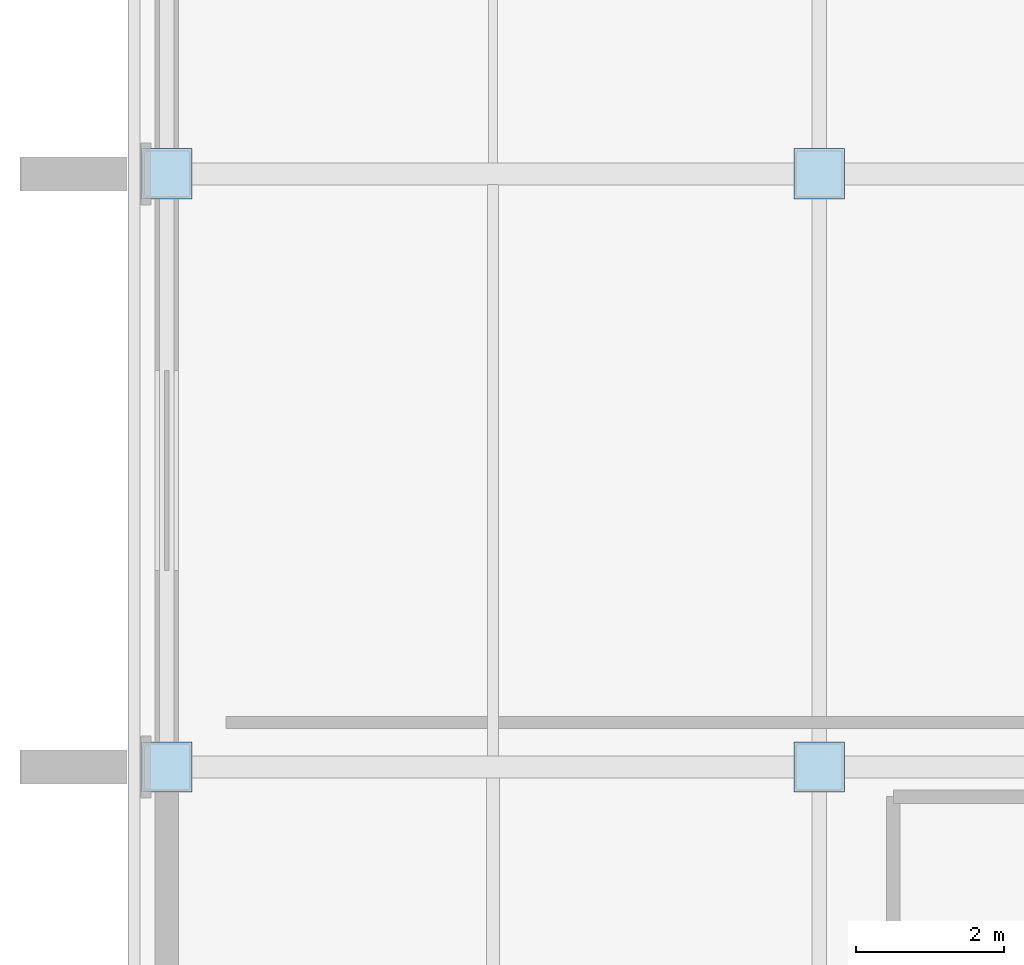
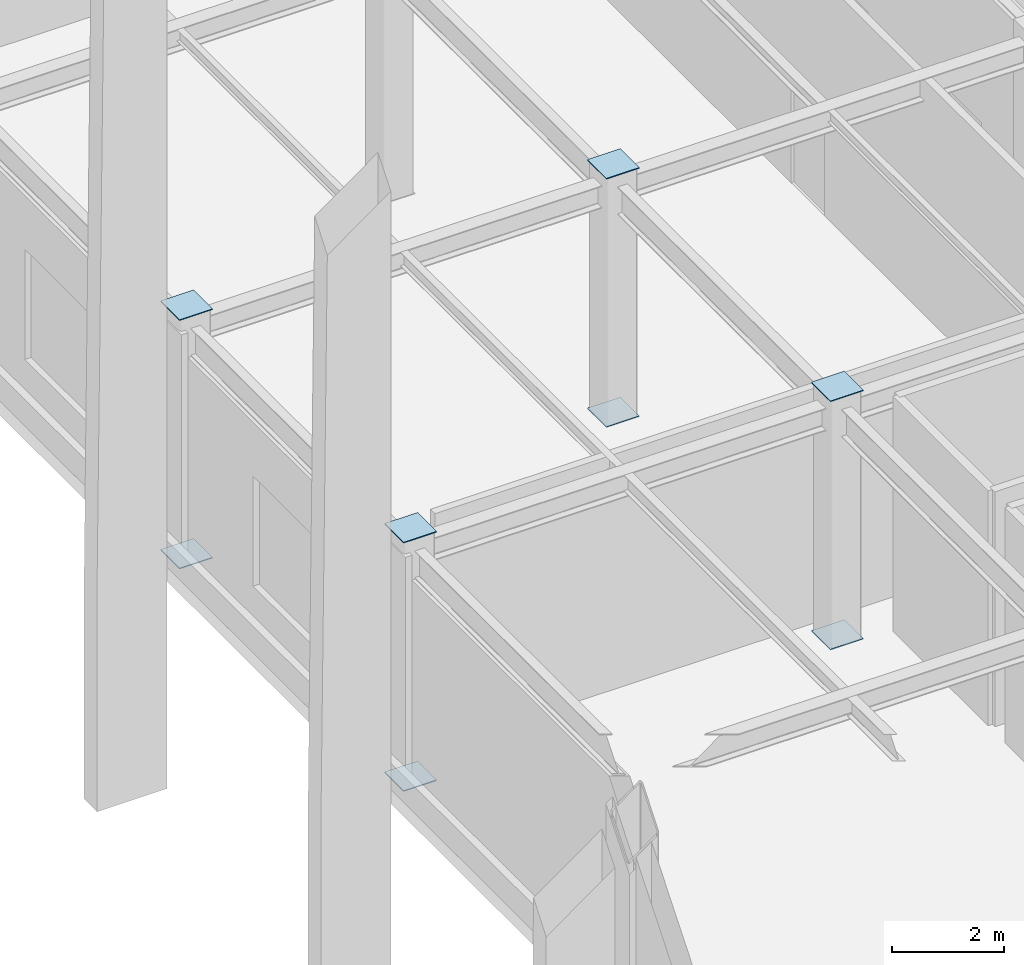
# One storey, part 72 of 119: 8 plates.
"""IFC4 building model written with IfcOpenShell, lengths in metres."""

import ifcopenshell
import ifcopenshell.guid

model = None  # the IFC model being written
_history = None  # IfcOwnerHistory: only IFC2X3 demands one
_inside = {}  # id of a spatial element -> (the spatial element, [elements in it])
_under = {}  # id of a project, library or spatial element -> (it, [spatial elements below it])
_declared = {}  # id of a project -> (the project, [libraries it declares])
_typed = {}  # id of a type object -> (the type object, [elements of that type])
_made_of = {}  # id of a material, layer set ... -> (it, [elements and type objects made of it])


def new_model(schema):
    """Start an empty IFC model of exactly this schema.

    Asked for "IFC4X3", IfcOpenShell would pick the latest addendum, in which some entities
    have other attributes; the version numbers below select the first issue.
    IFC2X3 requires an IfcOwnerHistory on every rooted entity: one is made here for all.
    """
    global model, _history
    if schema == "IFC4X3":
        model = ifcopenshell.file(schema_version=(4, 3, 0, 0))
    else:
        model = ifcopenshell.file(schema=schema)
    _inside.clear()
    _under.clear()
    _declared.clear()
    _typed.clear()
    _made_of.clear()
    _history = None
    if model.schema == "IFC2X3":
        org = make("IfcOrganization", Name="unknown")
        user = make(
            "IfcPersonAndOrganization",
            ThePerson=make("IfcPerson", FamilyName="unknown"),
            TheOrganization=org,
        )
        app = make(
            "IfcApplication",
            ApplicationDeveloper=org,
            Version="unknown",
            ApplicationFullName="unknown",
            ApplicationIdentifier="unknown",
        )
        _history = make(
            "IfcOwnerHistory",
            OwningUser=user,
            OwningApplication=app,
            ChangeAction="ADDED",
            CreationDate=0,
        )
    return model


def make(cls, **values):
    """One entity of the class cls with the attributes given. An attribute that is None is left unset."""
    return model.create_entity(
        cls, **{name: value for name, value in values.items() if value is not None}
    )


def rooted(cls, **values):
    """An entity with a GlobalId (a new one), such as an element, a storey or a relation."""
    return make(cls, GlobalId=ifcopenshell.guid.new(), OwnerHistory=_history, **values)


def si_unit(unit_type, name, prefix=None):
    """IfcSIUnit, for example si_unit("LENGTHUNIT", "METRE", prefix="MILLI")."""
    return make("IfcSIUnit", UnitType=unit_type, Prefix=prefix, Name=name)


def assignment(units):
    """IfcUnitAssignment: the units of a project."""
    return None if units is None else make("IfcUnitAssignment", Units=units)


def point(xyz):
    """IfcCartesianPoint."""
    return None if xyz is None else make("IfcCartesianPoint", Coordinates=xyz)


def direction(xyz):
    """IfcDirection."""
    return None if xyz is None else make("IfcDirection", DirectionRatios=xyz)


def frame(location, z_axis=None, x_axis=None):
    """IfcAxis2Placement3D, a coordinate frame: its origin and axes. An axis left out is left unset."""
    return make(
        "IfcAxis2Placement3D",
        Location=point(location),
        Axis=direction(z_axis),
        RefDirection=direction(x_axis),
    )


def frame_2d(location, x_axis=None):
    """IfcAxis2Placement2D, a coordinate frame in the plane: its origin and x axis."""
    return make(
        "IfcAxis2Placement2D", Location=point(location), RefDirection=direction(x_axis)
    )


def origin():
    """The frame at (0, 0, 0) with its axes left unset."""
    return frame((0.0, 0.0, 0.0))


def origin_2d():
    """The frame at (0, 0) in the plane with its x axis left unset."""
    return frame_2d((0.0, 0.0))


def place(relative_to, where):
    """IfcLocalPlacement: puts the frame where relative to a parent placement (None: the world)."""
    return make(
        "IfcLocalPlacement", PlacementRelTo=relative_to, RelativePlacement=where
    )


def context(
    kind, dimensions, precision=None, world=None, true_north=None, identifier=None
):
    """IfcGeometricRepresentationContext, for example the 3D "Model" context."""
    return make(
        "IfcGeometricRepresentationContext",
        ContextIdentifier=identifier,
        ContextType=kind,
        CoordinateSpaceDimension=dimensions,
        Precision=precision,
        WorldCoordinateSystem=world,
        TrueNorth=true_north,
    )


def subcontext(parent, identifier, kind, view, scale=None):
    """IfcGeometricRepresentationSubContext, for example "Body" below "Model"."""
    return make(
        "IfcGeometricRepresentationSubContext",
        ContextIdentifier=identifier,
        ContextType=kind,
        ParentContext=parent,
        TargetScale=scale,
        TargetView=view,
    )


def project(units=None, contexts=None):
    """IfcProject with its units and contexts."""
    return rooted(
        "IfcProject",
        Name="project",
        RepresentationContexts=contexts,
        UnitsInContext=assignment(units),
    )


def spatial(cls, under=None, at=None, **own):
    """A site, building, storey or space (cls), placed at a placement, below another one or the project."""
    s = rooted(cls, ObjectPlacement=at, **own)
    if under is not None:
        _under.setdefault(under.id(), (under, []))[1].append(s)
    return s


def profile(cls, at=None, kind="AREA", **sizes):
    """A parametric profile (cls). Its sizes go by their IFC names, for example OverallWidth=200.0."""
    return make(cls, ProfileType=kind, Position=at, **sizes)


def rectangle(**sizes):
    """IfcRectangleProfileDef."""
    return profile("IfcRectangleProfileDef", **sizes)


def extrude(swept, where, along, depth):
    """IfcExtrudedAreaSolid: the profile swept, set in the frame where, extruded along a direction by depth."""
    return make(
        "IfcExtrudedAreaSolid",
        SweptArea=swept,
        Position=where,
        ExtrudedDirection=direction(along),
        Depth=depth,
    )


def shape(context_of_items, identifier, shape_type, items):
    """IfcShapeRepresentation: the items that make up one representation, for example the "Body"."""
    return make(
        "IfcShapeRepresentation",
        ContextOfItems=context_of_items,
        RepresentationIdentifier=identifier,
        RepresentationType=shape_type,
        Items=items,
    )


def material(Name=None, Category=None):
    """IfcMaterial."""
    return make("IfcMaterial", Name=Name, Category=Category)


def layer(
    of_material, thickness, ventilated=None, Name=None, Category=None, Priority=None
):
    """IfcMaterialLayer: one layer of a wall or slab, of a material (None: an air gap)."""
    return make(
        "IfcMaterialLayer",
        Material=of_material,
        LayerThickness=thickness,
        IsVentilated=ventilated,
        Name=Name,
        Category=Category,
        Priority=Priority,
    )


def layer_set(layers, Name=None):
    """IfcMaterialLayerSet."""
    return make("IfcMaterialLayerSet", MaterialLayers=layers, LayerSetName=Name)


def made_of(thing, what):
    """Note that an element or type object is made of a material, layer set ...; save() writes the relation."""
    if what is not None:
        _made_of.setdefault(what.id(), (what, []))[1].append(thing)
    return thing


def type_object(cls, material=None, **own):
    """A type object (cls), such as IfcWallType, which elements share."""
    return made_of(rooted(cls, **own), material)


def element(
    cls,
    number,
    at=None,
    inside=None,
    cuts=None,
    type_object=None,
    material=None,
    context=None,
    identifier="Body",
    shape_type=None,
    held_by="IfcProductDefinitionShape",
    body=None,
    shapes=None,
    **own,
):
    """One element of the class cls, such as IfcWall. Its Tag is "e" and its number.

    at: its placement. inside: the storey or other place that contains it. cuts: it is an
    opening in that element (IfcRelVoidsElement). A single representation is given by context,
    identifier, shape_type and body (its items); several are given by shapes. held_by: the class
    of the entity that holds the representations. save() writes the other relations.
    """
    e = rooted(cls, Tag="e%d" % number, ObjectPlacement=at, **own)
    if body is not None:
        shapes = [shape(context, identifier, shape_type, body)]
    if shapes is not None:
        e.Representation = make(held_by, Representations=shapes)
    if inside is not None:
        _inside.setdefault(inside.id(), (inside, []))[1].append(e)
    if cuts is not None:
        rooted(
            "IfcRelVoidsElement", RelatingBuildingElement=cuts, RelatedOpeningElement=e
        )
    if type_object is not None:
        _typed.setdefault(type_object.id(), (type_object, []))[1].append(e)
    return made_of(e, material)


def aggregate(whole, parts):
    """IfcRelAggregates: a whole, such as a stair, and the parts it consists of."""
    return rooted("IfcRelAggregates", RelatingObject=whole, RelatedObjects=parts)


def save(model, path):
    """Write the relations noted so far, then the file.

    IfcRelAggregates (storeys below a building ...), IfcRelContainedInSpatialStructure (elements
    in a storey), IfcRelDefinesByType, IfcRelAssociatesMaterial and IfcRelDeclares: one each for
    every whole, place, type object, material and project.
    """
    for whole, parts in _under.values():
        aggregate(whole, parts)
    for where, things in _inside.values():
        rooted(
            "IfcRelContainedInSpatialStructure",
            RelatedElements=things,
            RelatingStructure=where,
        )
    for kind, things in _typed.values():
        rooted("IfcRelDefinesByType", RelatedObjects=things, RelatingType=kind)
    for what, things in _made_of.values():
        rooted("IfcRelAssociatesMaterial", RelatedObjects=things, RelatingMaterial=what)
    for by, libraries in _declared.values():
        rooted("IfcRelDeclares", RelatingContext=by, RelatedDefinitions=libraries)
    model.write(path)


model = new_model("IFC4")

# Units and contexts
model_context = context("Model", 3, precision=1e-05, world=origin(), true_north=direction((0.0, 1.0)))
body_context = subcontext(model_context, "Body", "Model", "MODEL_VIEW")
ifc_project = project(units=[si_unit("LENGTHUNIT", "METRE"), si_unit("AREAUNIT", "SQUARE_METRE"), si_unit("VOLUMEUNIT", "CUBIC_METRE"), si_unit("PLANEANGLEUNIT", "RADIAN"), si_unit("MASSUNIT", "GRAM", prefix="KILO")], contexts=[model_context])

# Site, building, storey
site_placement = place(None, origin())
site = spatial("IfcSite", under=ifc_project, at=site_placement, CompositionType="ELEMENT")
building_placement = place(site_placement, origin())
building = spatial("IfcBuilding", under=site, at=building_placement, Name="Zhaolan Boulevard Law Courts", CompositionType="ELEMENT")
storey_placement = place(building_placement, origin())
storey = spatial("IfcBuildingStorey", under=building, at=storey_placement, Name="L00", CompositionType="ELEMENT", Elevation=0.0)

# Plates
ifc_material = material(Name="Structural steel Q355B", Category="steel")
ifc_layer = layer(ifc_material, 0.02001953125)
ifc_layer_set = layer_set([ifc_layer])
plate_type = type_object("IfcPlateType", Name="END CAP PLATE 20", PredefinedType="SHEET", material=ifc_layer_set)
for number, where, z_axis, x_axis, name in (
    (1, (0.0, 54.0, -0.01806640625), (0.0, 0.0, 1.0), (1.0, 0.0, 0.0), "Hollow Section End-Cap Plate ECP-0067"),
    (2, (0.0, 54.0, 5.39794921875), (0.0, 0.0, 1.0), (1.0, 0.0, 0.0), "Hollow Section End-Cap Plate ECP-0068"),
    (3, (0.0, 62.0, -0.01806640625), (0.0, 0.0, 1.0), (1.0, 0.0, 0.0), "Hollow Section End-Cap Plate ECP-0089"),
    (4, (0.0, 62.0, 5.39794921875), (0.0, 0.0, 1.0), (1.0, 0.0, 0.0), "Hollow Section End-Cap Plate ECP-0090"),
    (5, (8.800048828125, 54.0, -0.01806640625), (0.0, 0.0, 1.0), (1.0, 0.0, 0.0), "Hollow Section End-Cap Plate ECP-0201"),
    (6, (8.800048828125, 54.0, 5.39794921875), (0.0, 0.0, 1.0), (1.0, 0.0, 0.0), "Hollow Section End-Cap Plate ECP-0202"),
    (7, (8.800048828125, 62.0, -0.01806640625), (0.0, 0.0, 1.0), (1.0, 0.0, 0.0), "Hollow Section End-Cap Plate ECP-0223"),
    (8, (8.800048828125, 62.0, 5.39794921875), (0.0, 0.0, 1.0), (1.0, 0.0, 0.0), "Hollow Section End-Cap Plate ECP-0224"),
):
    element("IfcPlate", number, at=place(storey_placement, frame(where, z_axis=z_axis, x_axis=x_axis)), inside=storey, type_object=plate_type, Name=name, PredefinedType="SHEET", context=body_context, shape_type="SweptSolid", body=[
        extrude(rectangle(XDim=0.679931640625, YDim=0.679931640625, at=origin_2d()), origin(), (0.0, 0.0, 1.0), 0.02001953125),
    ])

save(model, "model.ifc")
